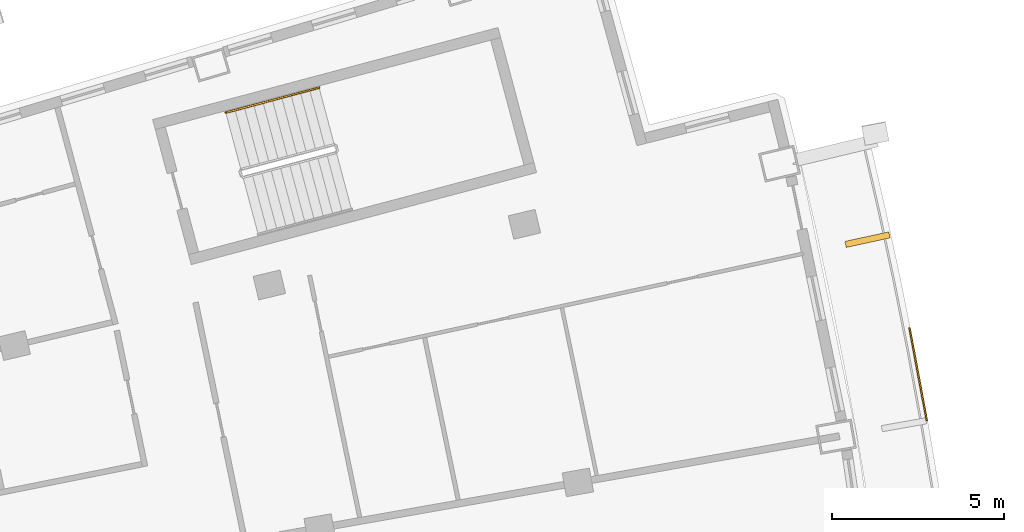
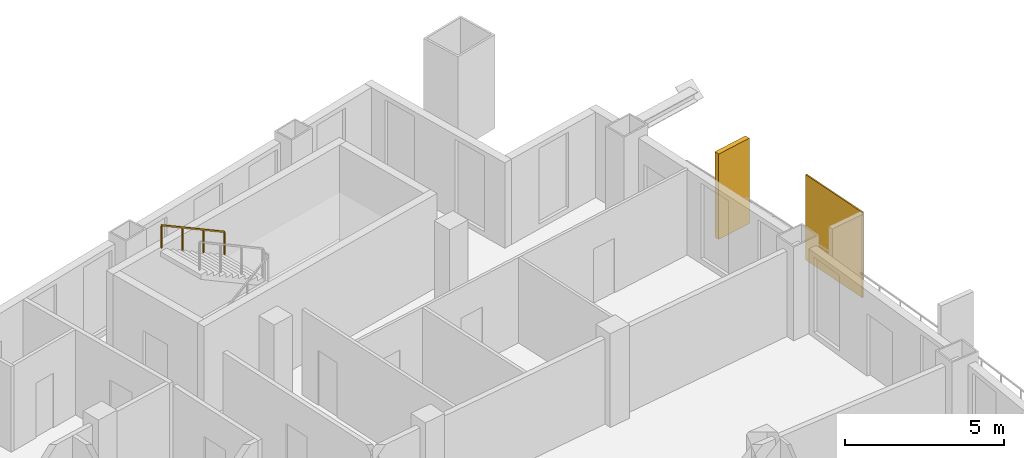
# One storey, part 19 of 19: 2 shading devices, 1 railing.
"""IFC4 building model written with IfcOpenShell, lengths in metres."""

from ifc_helpers import new_model, si_unit, direction, frame, origin, origin_2d, place, context, subcontext, project, spatial, rectangle, extrude, material, layer, layer_set, type_object, element, save


model = new_model("IFC4")

# Units and contexts
model_context = context("Model", 3, precision=1e-05, world=origin(), true_north=direction((0.0, 1.0)))
body_context = subcontext(model_context, "Body", "Model", "MODEL_VIEW")
ifc_project = project(units=[si_unit("LENGTHUNIT", "METRE"), si_unit("AREAUNIT", "SQUARE_METRE"), si_unit("VOLUMEUNIT", "CUBIC_METRE"), si_unit("PLANEANGLEUNIT", "RADIAN"), si_unit("MASSUNIT", "GRAM", prefix="KILO")], contexts=[model_context])

# Site, building, storey
site_placement = place(None, origin())
site = spatial("IfcSite", under=ifc_project, at=site_placement, CompositionType="ELEMENT")
building_placement = place(site_placement, origin())
building = spatial("IfcBuilding", under=site, at=building_placement, Name="Alderwake Tower", CompositionType="ELEMENT")
storey_placement = place(building_placement, frame((0.0, 0.0, 196.39990234375)))
storey = spatial("IfcBuildingStorey", under=building, at=storey_placement, Name="L48", CompositionType="ELEMENT", Elevation=196.39990234375)

# Shading devices
ifc_material_1 = material(Name="Bronze anodised aluminium", Category="aluminium")
ifc_layer_1 = layer(ifc_material_1, 0.179931640625)
ifc_layer_set_1 = layer_set([ifc_layer_1], Name="Facade fin 1300")
shading_device_type_1 = type_object("IfcShadingDeviceType", Name="Facade fin 1300", PredefinedType="USERDEFINED", material=ifc_layer_set_1)
shading_device_1_placement = place(storey_placement, frame((57.395751953125, 90.845458984375, 0.0), z_axis=(0.0, 0.0, 1.0), x_axis=(0.977210363881, 0.212273184185, 0.0)))
element("IfcShadingDevice", 1, at=shading_device_1_placement, inside=storey, type_object=shading_device_type_1, Name="Fin", ObjectType="FIN", PredefinedType="USERDEFINED", context=body_context, shape_type="SweptSolid", body=[
    extrude(rectangle(XDim=1.300048828125, YDim=0.179931640625, at=origin_2d()), origin(), (0.0, 0.0, 1.0), 3.280029296875),
])
ifc_material_2 = material(Name="Perforated bronze anodised aluminium", Category="aluminium")
ifc_layer_2 = layer(ifc_material_2, 0.050048828125)
ifc_layer_set_2 = layer_set([ifc_layer_2], Name="Perforated screen panel")
shading_device_type_2 = type_object("IfcShadingDeviceType", Name="Perforated screen panel", PredefinedType="USERDEFINED", material=ifc_layer_set_2)
shading_device_2_placement = place(storey_placement, frame((58.865478515625, 86.944091796875, 0.0), z_axis=(0.0, 0.0, 1.0), x_axis=(0.982991488043, 0.183651121519, 0.0)))
element("IfcShadingDevice", 2, at=shading_device_2_placement, inside=storey, type_object=shading_device_type_2, Name="Screen panel", ObjectType="SCREEN", PredefinedType="USERDEFINED", context=body_context, shape_type="SweptSolid", body=[
    extrude(rectangle(XDim=0.050048828125, YDim=2.74072265625, at=origin_2d()), origin(), (0.0, 0.0, 1.0), 3.280029296875),
])

# Railing
ifc_material_3 = material(Name="Stainless steel handrail", Category="steel")
railing_type = type_object("IfcRailingType", Name="Stair handrail 900", PredefinedType="HANDRAIL", material=ifc_material_3)
railing_placement = place(storey_placement, frame((41.497802734375, 95.250244140625, 1.963623046875)))
element("IfcRailing", 3, at=railing_placement, inside=storey, type_object=railing_type, Name="L48 ST-A stair handrail 2", PredefinedType="HANDRAIL", context=body_context, shape_type="SweptSolid", body=[
    extrude(rectangle(XDim=0.048095703125, YDim=0.048095703125, at=origin_2d()), frame((0.0, 0.0, 0.8759765625), z_axis=(-0.834258940753, -0.22222815314, 0.504605457487), x_axis=(0.257402139082, -0.966304371715, 0.0)), (0.0, 0.0, 1.0), 3.2431640625),
    extrude(rectangle(XDim=0.0419921875, YDim=0.0419921875, at=origin_2d()), frame((0.0, 0.0, 0.0), z_axis=(0.0, 0.0, 1.0), x_axis=(-0.966304371715, -0.257402139082, 0.0)), (0.0, 0.0, 1.0), 0.851806640625),
    extrude(rectangle(XDim=0.0419921875, YDim=0.0419921875, at=origin_2d()), frame((-0.90185546875, -0.240234375, 0.54541015625), z_axis=(0.0, 0.0, 1.0), x_axis=(-0.966304371715, -0.257402139082, 0.0)), (0.0, 0.0, 1.0), 0.851806640625),
    extrude(rectangle(XDim=0.0419921875, YDim=0.0419921875, at=origin_2d()), frame((-1.8037109375, -0.48046875, 1.091064453125), z_axis=(0.0, 0.0, 1.0), x_axis=(-0.966304371715, -0.257402139082, 0.0)), (0.0, 0.0, 1.0), 0.851806640625),
    extrude(rectangle(XDim=0.0419921875, YDim=0.0419921875, at=origin_2d()), frame((-2.70556640625, -0.720703125, 1.636474609375), z_axis=(0.0, 0.0, 1.0), x_axis=(-0.966304371715, -0.257402139082, 0.0)), (0.0, 0.0, 1.0), 0.851806640625),
])

save(model, "model.ifc")
